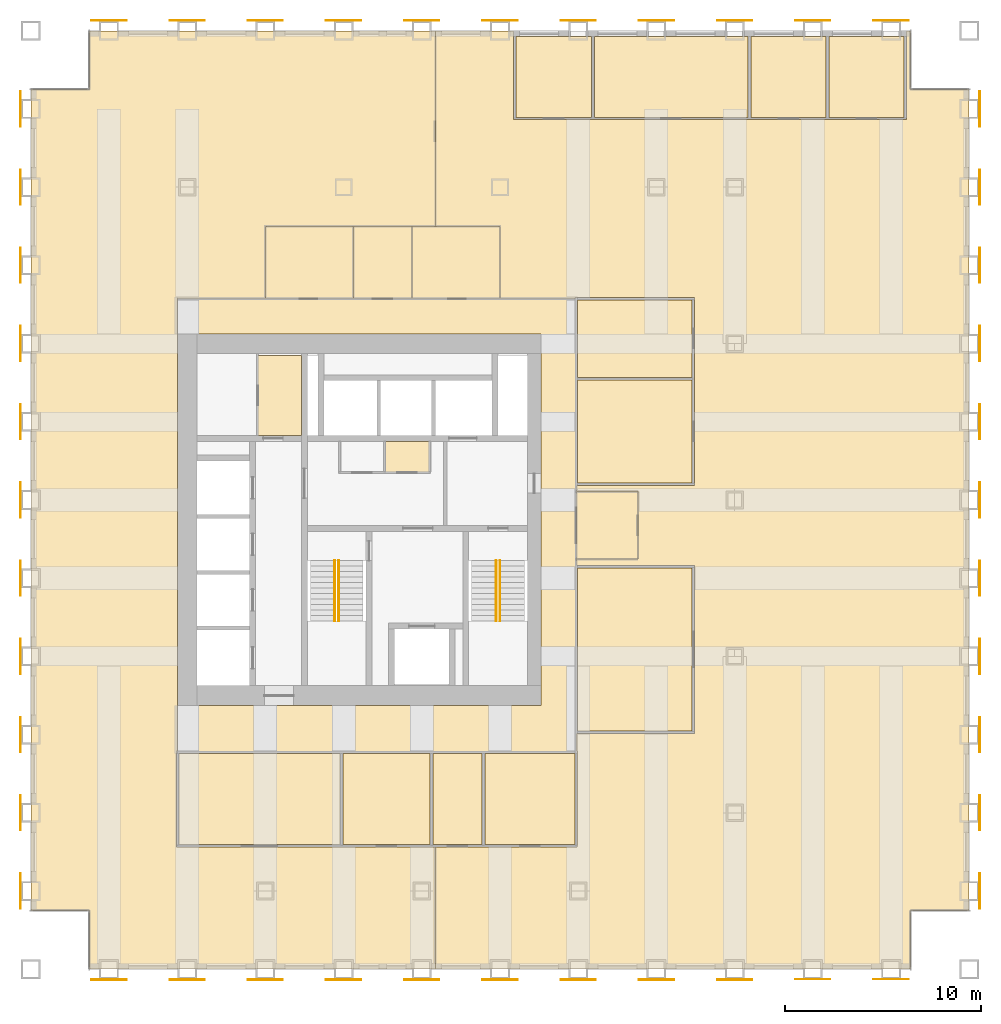
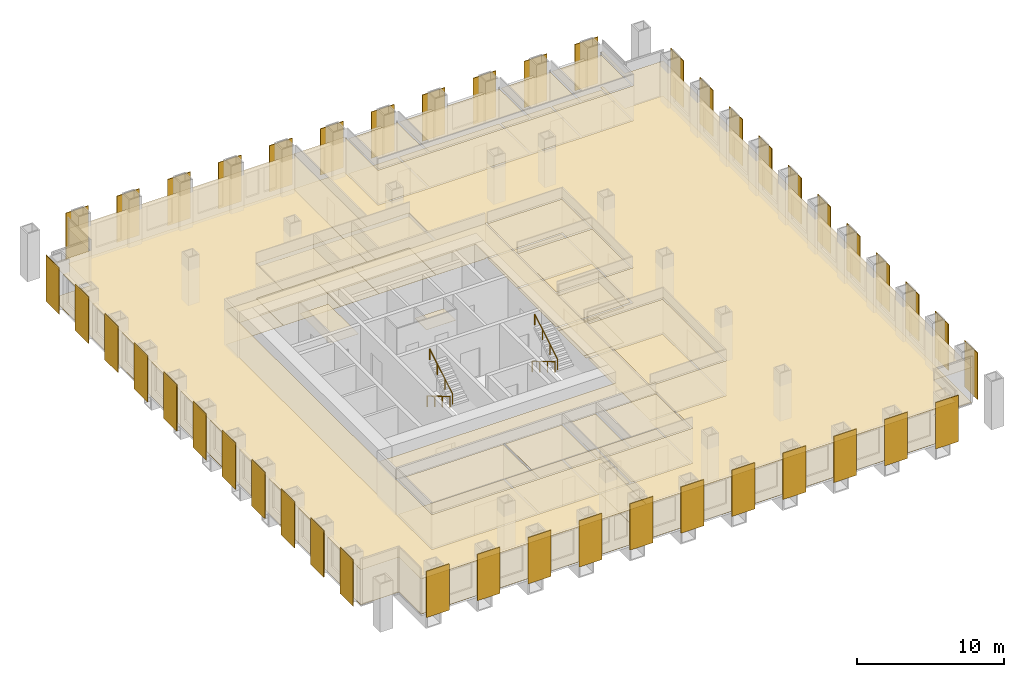
# One storey, part 14 of 14: 44 shading devices, 37 coverings, 4 railings.
"""IFC4 building model written with IfcOpenShell, lengths in metres."""

from ifc_helpers import new_model, si_unit, direction, frame, origin, origin_2d, place, context, subcontext, project, spatial, polyline, rectangle, circle, outline, extrude, material, layer, layer_set, type_object, element, save


model = new_model("IFC4")

# Units and contexts
model_context = context("Model", 3, precision=1e-05, world=origin(), true_north=direction((0.0, 1.0)))
body_context = subcontext(model_context, "Body", "Model", "MODEL_VIEW")
ifc_project = project(units=[si_unit("LENGTHUNIT", "METRE"), si_unit("AREAUNIT", "SQUARE_METRE"), si_unit("VOLUMEUNIT", "CUBIC_METRE"), si_unit("PLANEANGLEUNIT", "RADIAN"), si_unit("MASSUNIT", "GRAM", prefix="KILO")], contexts=[model_context])

# Site, building, storey
site_placement = place(None, origin())
site = spatial("IfcSite", under=ifc_project, at=site_placement, CompositionType="ELEMENT")
building_placement = place(site_placement, origin())
building = spatial("IfcBuilding", under=site, at=building_placement, Name="Rimbunsela Tower", CompositionType="ELEMENT")
storey_placement = place(building_placement, frame((0.0, 0.0, 109.39990234375)))
storey = spatial("IfcBuildingStorey", under=building, at=storey_placement, Name="L26", CompositionType="ELEMENT", Elevation=109.39990234375)

# Coverings
ifc_material_1 = material(Name="Nylon carpet tile", Category="textile")
ifc_layer_1 = layer(ifc_material_1, 0.010009765625)
ifc_layer_set_1 = layer_set([ifc_layer_1], Name="Carpet tile 10")
covering_type_1 = type_object("IfcCoveringType", Name="Carpet tile 10", PredefinedType="FLOORING", material=ifc_layer_set_1)
covering_1_placement = place(storey_placement, origin())
element("IfcCovering", 1, at=covering_1_placement, inside=storey, type_object=covering_type_1, Name="Floor finish Open office", PredefinedType="FLOORING", context=body_context, shape_type="SweptSolid", body=[
    extrude(outline(polyline([(17.5, 4.0), (13.0, 4.0), (13.0, 7.0), (10.0, 7.0), (10.0, 49.0), (13.0, 49.0), (13.0, 52.0), (17.5, 52.0), (30.699951171875, 52.0), (30.699951171875, 42.0), (22.0, 42.0), (22.0, 38.300048828125), (17.5, 38.300048828125), (17.5, 36.5), (17.5, 17.5), (17.5, 15.14990234375), (17.449951171875, 15.14990234375), (17.449951171875, 10.25), (17.5, 10.25), (25.85009765625, 10.25), (25.949951171875, 10.25), (30.449951171875, 10.25), (30.550048828125, 10.25), (30.699951171875, 10.25), (30.699951171875, 4.0), (17.5, 4.0)])), origin(), (0.0, 0.0, 1.0), 0.010009765625),
])
covering_2_placement = place(storey_placement, origin())
element("IfcCovering", 2, at=covering_2_placement, inside=storey, type_object=covering_type_1, Name="Floor finish Open office", PredefinedType="FLOORING", context=body_context, shape_type="SweptSolid", body=[
    extrude(outline(polyline([(30.699951171875, 52.0), (34.699951171875, 52.0), (34.699951171875, 47.449951171875), (37.89990234375, 47.449951171875), (38.699951171875, 47.449951171875), (38.800048828125, 47.449951171875), (46.699951171875, 47.449951171875), (46.800048828125, 47.449951171875), (50.699951171875, 47.449951171875), (50.800048828125, 47.449951171875), (54.800048828125, 47.449951171875), (54.800048828125, 52.0), (55.0, 52.0), (55.0, 49.0), (58.0, 49.0), (58.0, 7.0), (55.0, 7.0), (55.0, 4.0), (37.89990234375, 4.0), (30.699951171875, 4.0), (30.699951171875, 10.25), (33.10009765625, 10.25), (33.199951171875, 10.25), (37.89990234375, 10.25), (37.949951171875, 10.25), (37.949951171875, 15.14990234375), (37.89990234375, 15.14990234375), (37.89990234375, 16.050048828125), (43.949951171875, 16.050048828125), (43.949951171875, 24.64990234375), (37.89990234375, 24.64990234375), (37.89990234375, 24.97509765625), (41.050048828125, 24.97509765625), (41.050048828125, 28.425048828125), (37.89990234375, 28.425048828125), (37.89990234375, 28.75), (43.949951171875, 28.75), (43.949951171875, 34.14990234375), (43.949951171875, 34.25), (43.949951171875, 38.35009765625), (37.89990234375, 38.35009765625), (37.85009765625, 38.35009765625), (37.85009765625, 38.300048828125), (34.0, 38.300048828125), (34.0, 42.0), (30.699951171875, 42.0), (30.699951171875, 52.0)])), origin(), (0.0, 0.0, 1.0), 0.010009765625),
])
covering_3_placement = place(storey_placement, origin())
element("IfcCovering", 3, at=covering_3_placement, inside=storey, type_object=covering_type_1, Name="Floor finish Reception", PredefinedType="FLOORING", context=body_context, shape_type="SweptSolid", body=[
    extrude(outline(polyline([(41.050048828125, 24.97509765625), (41.050048828125, 28.425048828125), (37.89990234375, 28.425048828125), (37.89990234375, 24.97509765625), (41.050048828125, 24.97509765625)])), origin(), (0.0, 0.0, 1.0), 0.010009765625),
])
covering_4_placement = place(storey_placement, origin())
element("IfcCovering", 4, at=covering_4_placement, inside=storey, type_object=covering_type_1, Name="Floor finish Executive office", PredefinedType="FLOORING", context=body_context, shape_type="SweptSolid", body=[
    extrude(outline(polyline([(38.675048828125, 47.574951171875), (38.675048828125, 51.699951171875), (34.824951171875, 51.699951171875), (34.824951171875, 47.574951171875), (38.675048828125, 47.574951171875)])), origin(), (0.0, 0.0, 1.0), 0.010009765625),
])
covering_5_placement = place(storey_placement, origin())
element("IfcCovering", 5, at=covering_5_placement, inside=storey, type_object=covering_type_1, Name="Floor finish Executive office", PredefinedType="FLOORING", context=body_context, shape_type="SweptSolid", body=[
    extrude(outline(polyline([(46.675048828125, 47.574951171875), (46.675048828125, 51.699951171875), (38.824951171875, 51.699951171875), (38.824951171875, 47.574951171875), (46.675048828125, 47.574951171875)])), origin(), (0.0, 0.0, 1.0), 0.010009765625),
])
covering_6_placement = place(storey_placement, origin())
element("IfcCovering", 6, at=covering_6_placement, inside=storey, type_object=covering_type_1, Name="Floor finish Executive office", PredefinedType="FLOORING", context=body_context, shape_type="SweptSolid", body=[
    extrude(outline(polyline([(50.675048828125, 47.574951171875), (50.675048828125, 51.699951171875), (46.824951171875, 51.699951171875), (46.824951171875, 47.574951171875), (50.675048828125, 47.574951171875)])), origin(), (0.0, 0.0, 1.0), 0.010009765625),
])
covering_7_placement = place(storey_placement, origin())
element("IfcCovering", 7, at=covering_7_placement, inside=storey, type_object=covering_type_1, Name="Floor finish Executive office", PredefinedType="FLOORING", context=body_context, shape_type="SweptSolid", body=[
    extrude(outline(polyline([(54.675048828125, 47.574951171875), (54.675048828125, 51.699951171875), (50.824951171875, 51.699951171875), (50.824951171875, 47.574951171875), (54.675048828125, 47.574951171875)])), origin(), (0.0, 0.0, 1.0), 0.010009765625),
])
covering_8_placement = place(storey_placement, origin())
element("IfcCovering", 8, at=covering_8_placement, inside=storey, type_object=covering_type_1, Name="Floor finish Training room", PredefinedType="FLOORING", context=body_context, shape_type="SweptSolid", body=[
    extrude(outline(polyline([(25.824951171875, 10.375), (25.824951171875, 15.02490234375), (17.574951171875, 15.02490234375), (17.574951171875, 10.375), (25.824951171875, 10.375)])), origin(), (0.0, 0.0, 1.0), 0.010009765625),
])
covering_9_placement = place(storey_placement, origin())
element("IfcCovering", 9, at=covering_9_placement, inside=storey, type_object=covering_type_1, Name="Floor finish Pantry", PredefinedType="FLOORING", context=body_context, shape_type="SweptSolid", body=[
    extrude(outline(polyline([(30.425048828125, 10.375), (30.425048828125, 15.02490234375), (25.97509765625, 15.02490234375), (25.97509765625, 10.375), (30.425048828125, 10.375)])), origin(), (0.0, 0.0, 1.0), 0.010009765625),
])
covering_10_placement = place(storey_placement, origin())
element("IfcCovering", 10, at=covering_10_placement, inside=storey, type_object=covering_type_1, Name="Floor finish Print and copy room", PredefinedType="FLOORING", context=body_context, shape_type="SweptSolid", body=[
    extrude(outline(polyline([(33.074951171875, 10.375), (33.074951171875, 15.02490234375), (30.574951171875, 15.02490234375), (30.574951171875, 10.375), (33.074951171875, 10.375)])), origin(), (0.0, 0.0, 1.0), 0.010009765625),
])
covering_11_placement = place(storey_placement, origin())
element("IfcCovering", 11, at=covering_11_placement, inside=storey, type_object=covering_type_1, Name="Floor finish Office", PredefinedType="FLOORING", context=body_context, shape_type="SweptSolid", body=[
    extrude(outline(polyline([(37.824951171875, 10.375), (37.824951171875, 15.02490234375), (33.22509765625, 15.02490234375), (33.22509765625, 10.375), (37.824951171875, 10.375)])), origin(), (0.0, 0.0, 1.0), 0.010009765625),
])
covering_12_placement = place(storey_placement, origin())
element("IfcCovering", 12, at=covering_12_placement, inside=storey, type_object=covering_type_1, Name="Floor finish Boardroom", PredefinedType="FLOORING", context=body_context, shape_type="SweptSolid", body=[
    extrude(outline(polyline([(43.824951171875, 16.175048828125), (43.824951171875, 24.52490234375), (37.97509765625, 24.52490234375), (37.97509765625, 16.175048828125), (43.824951171875, 16.175048828125)])), origin(), (0.0, 0.0, 1.0), 0.010009765625),
])
covering_13_placement = place(storey_placement, origin())
element("IfcCovering", 13, at=covering_13_placement, inside=storey, type_object=covering_type_1, Name="Floor finish Meeting room", PredefinedType="FLOORING", context=body_context, shape_type="SweptSolid", body=[
    extrude(outline(polyline([(43.824951171875, 28.875), (43.824951171875, 34.125), (37.97509765625, 34.125), (37.97509765625, 28.875), (43.824951171875, 28.875)])), origin(), (0.0, 0.0, 1.0), 0.010009765625),
])
covering_14_placement = place(storey_placement, origin())
element("IfcCovering", 14, at=covering_14_placement, inside=storey, type_object=covering_type_1, Name="Floor finish Office", PredefinedType="FLOORING", context=body_context, shape_type="SweptSolid", body=[
    extrude(outline(polyline([(43.824951171875, 34.27490234375), (43.824951171875, 38.22509765625), (37.97509765625, 38.22509765625), (37.97509765625, 34.27490234375), (43.824951171875, 34.27490234375)])), origin(), (0.0, 0.0, 1.0), 0.010009765625),
])
ifc_material_2 = material(Name="Mineral fibre ceiling tile", Category="gypsum")
ifc_layer_2 = layer(ifc_material_2, 0.02001953125)
ifc_layer_set_2 = layer_set([ifc_layer_2], Name="Ceiling 600 grid")
covering_type_2 = type_object("IfcCoveringType", Name="Ceiling 600 grid", PredefinedType="CEILING", material=ifc_layer_set_2)
covering_15_placement = place(storey_placement, frame((0.0, 0.0, 2.900146484375)))
element("IfcCovering", 15, at=covering_15_placement, inside=storey, type_object=covering_type_2, Name="Ceiling IT room", PredefinedType="CEILING", context=body_context, shape_type="SweptSolid", body=[
    extrude(outline(polyline([(30.39990234375, 29.39990234375), (30.39990234375, 31.0), (28.10009765625, 31.0), (28.10009765625, 29.39990234375), (30.39990234375, 29.39990234375)])), origin(), (0.0, 0.0, 1.0), 0.02001953125),
])
covering_16_placement = place(storey_placement, frame((0.0, 0.0, 2.900146484375)))
element("IfcCovering", 16, at=covering_16_placement, inside=storey, type_object=covering_type_2, Name="Ceiling Staff pantry", PredefinedType="CEILING", context=body_context, shape_type="SweptSolid", body=[
    extrude(outline(polyline([(23.85009765625, 31.300048828125), (23.85009765625, 35.39990234375), (21.60009765625, 35.39990234375), (21.60009765625, 31.300048828125), (23.85009765625, 31.300048828125)])), origin(), (0.0, 0.0, 1.0), 0.02001953125),
])
covering_17_placement = place(storey_placement, frame((0.0, 0.0, 2.900146484375)))
element("IfcCovering", 17, at=covering_17_placement, inside=storey, type_object=covering_type_2, Name="Ceiling U-shaped corridor", PredefinedType="CEILING", context=body_context, shape_type="SweptSolid", body=[
    extrude(outline(polyline([(37.89990234375, 38.300048828125), (37.89990234375, 15.10009765625), (17.5, 15.10009765625), (17.5, 17.5), (36.10009765625, 17.5), (36.10009765625, 36.5), (17.5, 36.5), (17.5, 38.300048828125), (37.89990234375, 38.300048828125)])), origin(), (0.0, 0.0, 1.0), 0.02001953125),
])
covering_18_placement = place(storey_placement, frame((0.0, 0.0, 2.900146484375)))
element("IfcCovering", 18, at=covering_18_placement, inside=storey, type_object=covering_type_2, Name="Ceiling Open office", PredefinedType="CEILING", context=body_context, shape_type="SweptSolid", body=[
    extrude(outline(polyline([(17.5, 4.0), (13.0, 4.0), (13.0, 7.0), (10.0, 7.0), (10.0, 49.0), (13.0, 49.0), (13.0, 52.0), (17.5, 52.0), (30.699951171875, 52.0), (30.699951171875, 42.0), (22.0, 42.0), (22.0, 38.300048828125), (17.5, 38.300048828125), (17.5, 36.5), (17.5, 17.5), (17.5, 15.14990234375), (17.449951171875, 15.14990234375), (17.449951171875, 10.25), (17.5, 10.25), (25.85009765625, 10.25), (25.949951171875, 10.25), (30.449951171875, 10.25), (30.550048828125, 10.25), (30.699951171875, 10.25), (30.699951171875, 4.0), (17.5, 4.0)])), origin(), (0.0, 0.0, 1.0), 0.02001953125),
])
covering_19_placement = place(storey_placement, frame((0.0, 0.0, 2.900146484375)))
element("IfcCovering", 19, at=covering_19_placement, inside=storey, type_object=covering_type_2, Name="Ceiling Open office", PredefinedType="CEILING", context=body_context, shape_type="SweptSolid", body=[
    extrude(outline(polyline([(30.699951171875, 52.0), (34.699951171875, 52.0), (34.699951171875, 47.449951171875), (37.89990234375, 47.449951171875), (38.699951171875, 47.449951171875), (38.800048828125, 47.449951171875), (46.699951171875, 47.449951171875), (46.800048828125, 47.449951171875), (50.699951171875, 47.449951171875), (50.800048828125, 47.449951171875), (54.800048828125, 47.449951171875), (54.800048828125, 52.0), (55.0, 52.0), (55.0, 49.0), (58.0, 49.0), (58.0, 7.0), (55.0, 7.0), (55.0, 4.0), (37.89990234375, 4.0), (30.699951171875, 4.0), (30.699951171875, 10.25), (33.10009765625, 10.25), (33.199951171875, 10.25), (37.89990234375, 10.25), (37.949951171875, 10.25), (37.949951171875, 15.14990234375), (37.89990234375, 15.14990234375), (37.89990234375, 16.050048828125), (43.949951171875, 16.050048828125), (43.949951171875, 24.64990234375), (37.89990234375, 24.64990234375), (37.89990234375, 24.97509765625), (41.050048828125, 24.97509765625), (41.050048828125, 28.425048828125), (37.89990234375, 28.425048828125), (37.89990234375, 28.75), (43.949951171875, 28.75), (43.949951171875, 34.14990234375), (43.949951171875, 34.25), (43.949951171875, 38.35009765625), (37.89990234375, 38.35009765625), (37.85009765625, 38.35009765625), (37.85009765625, 38.300048828125), (34.0, 38.300048828125), (34.0, 42.0), (30.699951171875, 42.0), (30.699951171875, 52.0)])), origin(), (0.0, 0.0, 1.0), 0.02001953125),
])
covering_20_placement = place(storey_placement, frame((0.0, 0.0, 2.900146484375)))
element("IfcCovering", 20, at=covering_20_placement, inside=storey, type_object=covering_type_2, Name="Ceiling Reception", PredefinedType="CEILING", context=body_context, shape_type="SweptSolid", body=[
    extrude(outline(polyline([(41.050048828125, 24.97509765625), (41.050048828125, 28.425048828125), (37.89990234375, 28.425048828125), (37.89990234375, 24.97509765625), (41.050048828125, 24.97509765625)])), origin(), (0.0, 0.0, 1.0), 0.02001953125),
])
covering_21_placement = place(storey_placement, frame((0.0, 0.0, 2.900146484375)))
element("IfcCovering", 21, at=covering_21_placement, inside=storey, type_object=covering_type_2, Name="Ceiling Executive office", PredefinedType="CEILING", context=body_context, shape_type="SweptSolid", body=[
    extrude(outline(polyline([(38.675048828125, 47.574951171875), (38.675048828125, 51.699951171875), (34.824951171875, 51.699951171875), (34.824951171875, 47.574951171875), (38.675048828125, 47.574951171875)])), origin(), (0.0, 0.0, 1.0), 0.02001953125),
])
covering_22_placement = place(storey_placement, frame((0.0, 0.0, 2.900146484375)))
element("IfcCovering", 22, at=covering_22_placement, inside=storey, type_object=covering_type_2, Name="Ceiling Executive office", PredefinedType="CEILING", context=body_context, shape_type="SweptSolid", body=[
    extrude(outline(polyline([(46.675048828125, 47.574951171875), (46.675048828125, 51.699951171875), (38.824951171875, 51.699951171875), (38.824951171875, 47.574951171875), (46.675048828125, 47.574951171875)])), origin(), (0.0, 0.0, 1.0), 0.02001953125),
])
covering_23_placement = place(storey_placement, frame((0.0, 0.0, 2.900146484375)))
element("IfcCovering", 23, at=covering_23_placement, inside=storey, type_object=covering_type_2, Name="Ceiling Executive office", PredefinedType="CEILING", context=body_context, shape_type="SweptSolid", body=[
    extrude(outline(polyline([(50.675048828125, 47.574951171875), (50.675048828125, 51.699951171875), (46.824951171875, 51.699951171875), (46.824951171875, 47.574951171875), (50.675048828125, 47.574951171875)])), origin(), (0.0, 0.0, 1.0), 0.02001953125),
])
covering_24_placement = place(storey_placement, frame((0.0, 0.0, 2.900146484375)))
element("IfcCovering", 24, at=covering_24_placement, inside=storey, type_object=covering_type_2, Name="Ceiling Executive office", PredefinedType="CEILING", context=body_context, shape_type="SweptSolid", body=[
    extrude(outline(polyline([(54.675048828125, 47.574951171875), (54.675048828125, 51.699951171875), (50.824951171875, 51.699951171875), (50.824951171875, 47.574951171875), (54.675048828125, 47.574951171875)])), origin(), (0.0, 0.0, 1.0), 0.02001953125),
])
covering_25_placement = place(storey_placement, frame((0.0, 0.0, 2.900146484375)))
element("IfcCovering", 25, at=covering_25_placement, inside=storey, type_object=covering_type_2, Name="Ceiling Training room", PredefinedType="CEILING", context=body_context, shape_type="SweptSolid", body=[
    extrude(outline(polyline([(25.824951171875, 10.375), (25.824951171875, 15.02490234375), (17.574951171875, 15.02490234375), (17.574951171875, 10.375), (25.824951171875, 10.375)])), origin(), (0.0, 0.0, 1.0), 0.02001953125),
])
covering_26_placement = place(storey_placement, frame((0.0, 0.0, 2.900146484375)))
element("IfcCovering", 26, at=covering_26_placement, inside=storey, type_object=covering_type_2, Name="Ceiling Pantry", PredefinedType="CEILING", context=body_context, shape_type="SweptSolid", body=[
    extrude(outline(polyline([(30.425048828125, 10.375), (30.425048828125, 15.02490234375), (25.97509765625, 15.02490234375), (25.97509765625, 10.375), (30.425048828125, 10.375)])), origin(), (0.0, 0.0, 1.0), 0.02001953125),
])
covering_27_placement = place(storey_placement, frame((0.0, 0.0, 2.900146484375)))
element("IfcCovering", 27, at=covering_27_placement, inside=storey, type_object=covering_type_2, Name="Ceiling Print and copy room", PredefinedType="CEILING", context=body_context, shape_type="SweptSolid", body=[
    extrude(outline(polyline([(33.074951171875, 10.375), (33.074951171875, 15.02490234375), (30.574951171875, 15.02490234375), (30.574951171875, 10.375), (33.074951171875, 10.375)])), origin(), (0.0, 0.0, 1.0), 0.02001953125),
])
covering_28_placement = place(storey_placement, frame((0.0, 0.0, 2.900146484375)))
element("IfcCovering", 28, at=covering_28_placement, inside=storey, type_object=covering_type_2, Name="Ceiling Office", PredefinedType="CEILING", context=body_context, shape_type="SweptSolid", body=[
    extrude(outline(polyline([(37.824951171875, 10.375), (37.824951171875, 15.02490234375), (33.22509765625, 15.02490234375), (33.22509765625, 10.375), (37.824951171875, 10.375)])), origin(), (0.0, 0.0, 1.0), 0.02001953125),
])
covering_29_placement = place(storey_placement, frame((0.0, 0.0, 2.900146484375)))
element("IfcCovering", 29, at=covering_29_placement, inside=storey, type_object=covering_type_2, Name="Ceiling Boardroom", PredefinedType="CEILING", context=body_context, shape_type="SweptSolid", body=[
    extrude(outline(polyline([(43.824951171875, 16.175048828125), (43.824951171875, 24.52490234375), (37.97509765625, 24.52490234375), (37.97509765625, 16.175048828125), (43.824951171875, 16.175048828125)])), origin(), (0.0, 0.0, 1.0), 0.02001953125),
])
covering_30_placement = place(storey_placement, frame((0.0, 0.0, 2.900146484375)))
element("IfcCovering", 30, at=covering_30_placement, inside=storey, type_object=covering_type_2, Name="Ceiling Meeting room", PredefinedType="CEILING", context=body_context, shape_type="SweptSolid", body=[
    extrude(outline(polyline([(43.824951171875, 28.875), (43.824951171875, 34.125), (37.97509765625, 34.125), (37.97509765625, 28.875), (43.824951171875, 28.875)])), origin(), (0.0, 0.0, 1.0), 0.02001953125),
])
covering_31_placement = place(storey_placement, frame((0.0, 0.0, 2.900146484375)))
element("IfcCovering", 31, at=covering_31_placement, inside=storey, type_object=covering_type_2, Name="Ceiling Office", PredefinedType="CEILING", context=body_context, shape_type="SweptSolid", body=[
    extrude(outline(polyline([(43.824951171875, 34.27490234375), (43.824951171875, 38.22509765625), (37.97509765625, 38.22509765625), (37.97509765625, 34.27490234375), (43.824951171875, 34.27490234375)])), origin(), (0.0, 0.0, 1.0), 0.02001953125),
])
ifc_material_3 = material(Name="Moisture-resistant plasterboard ceiling", Category="gypsum")
ifc_layer_3 = layer(ifc_material_3, 0.012451171875)
ifc_layer_set_3 = layer_set([ifc_layer_3], Name="Ceiling moisture-resistant board")
covering_type_3 = type_object("IfcCoveringType", Name="Ceiling moisture-resistant board", PredefinedType="CEILING", material=ifc_layer_set_3)
covering_32_placement = place(storey_placement, frame((0.0, 0.0, 2.60009765625)))
element("IfcCovering", 32, at=covering_32_placement, inside=storey, type_object=covering_type_3, Name="Ceiling Female WC", PredefinedType="CEILING", context=body_context, shape_type="SweptSolid", body=[
    extrude(outline(polyline([(26.5, 38.300048828125), (26.5, 42.0), (22.0, 42.0), (22.0, 38.300048828125), (26.5, 38.300048828125)])), origin(), (0.0, 0.0, 1.0), 0.02001953125),
])
covering_33_placement = place(storey_placement, frame((0.0, 0.0, 2.60009765625)))
element("IfcCovering", 33, at=covering_33_placement, inside=storey, type_object=covering_type_3, Name="Ceiling Accessible WC", PredefinedType="CEILING", context=body_context, shape_type="SweptSolid", body=[
    extrude(outline(polyline([(29.5, 38.300048828125), (29.5, 42.0), (26.5, 42.0), (26.5, 38.300048828125), (29.5, 38.300048828125)])), origin(), (0.0, 0.0, 1.0), 0.02001953125),
])
covering_34_placement = place(storey_placement, frame((0.0, 0.0, 2.60009765625)))
element("IfcCovering", 34, at=covering_34_placement, inside=storey, type_object=covering_type_3, Name="Ceiling Male WC", PredefinedType="CEILING", context=body_context, shape_type="SweptSolid", body=[
    extrude(outline(polyline([(34.0, 38.300048828125), (34.0, 42.0), (29.5, 42.0), (29.5, 38.300048828125), (34.0, 38.300048828125)])), origin(), (0.0, 0.0, 1.0), 0.02001953125),
])
ifc_material_4 = material(Name="Porcelain floor tile in adhesive bed", Category="ceramic")
ifc_layer_4 = layer(ifc_material_4, 0.02001953125)
ifc_layer_set_4 = layer_set([ifc_layer_4], Name="Porcelain tile 20")
covering_type_4 = type_object("IfcCoveringType", Name="Porcelain tile 20", PredefinedType="FLOORING", material=ifc_layer_set_4)
covering_35_placement = place(storey_placement, origin())
element("IfcCovering", 35, at=covering_35_placement, inside=storey, type_object=covering_type_4, Name="Floor finish Female WC", PredefinedType="FLOORING", context=body_context, shape_type="SweptSolid", body=[
    extrude(outline(polyline([(26.5, 38.300048828125), (26.5, 42.0), (22.0, 42.0), (22.0, 38.300048828125), (26.5, 38.300048828125)])), origin(), (0.0, 0.0, 1.0), 0.02001953125),
])
covering_36_placement = place(storey_placement, origin())
element("IfcCovering", 36, at=covering_36_placement, inside=storey, type_object=covering_type_4, Name="Floor finish Accessible WC", PredefinedType="FLOORING", context=body_context, shape_type="SweptSolid", body=[
    extrude(outline(polyline([(29.5, 38.300048828125), (29.5, 42.0), (26.5, 42.0), (26.5, 38.300048828125), (29.5, 38.300048828125)])), origin(), (0.0, 0.0, 1.0), 0.02001953125),
])
covering_37_placement = place(storey_placement, origin())
element("IfcCovering", 37, at=covering_37_placement, inside=storey, type_object=covering_type_4, Name="Floor finish Male WC", PredefinedType="FLOORING", context=body_context, shape_type="SweptSolid", body=[
    extrude(outline(polyline([(34.0, 38.300048828125), (34.0, 42.0), (29.5, 42.0), (29.5, 38.300048828125), (34.0, 38.300048828125)])), origin(), (0.0, 0.0, 1.0), 0.02001953125),
])

# Shading devices
ifc_material_5 = material(Name="Perforated aluminium, 35 % open area", Category="aluminium")
ifc_layer_5 = layer(ifc_material_5, 0.050048828125)
ifc_layer_set_5 = layer_set([ifc_layer_5], Name="Solar screen panel 1800")
shading_device_type = type_object("IfcShadingDeviceType", Name="Solar screen panel 1800", PredefinedType="USERDEFINED", material=ifc_layer_set_5)
for number, where, z_axis, x_axis, name in (
    (38, (14.0, 3.47509765625, 0.0), (0.0, 0.0, 1.0), (1.0, 0.0, 0.0), "Solar screen S L26"),
    (39, (18.0, 3.47509765625, 0.0), (0.0, 0.0, 1.0), (1.0, 0.0, 0.0), "Solar screen S L26"),
    (40, (22.0, 3.47509765625, 0.0), (0.0, 0.0, 1.0), (1.0, 0.0, 0.0), "Solar screen S L26"),
    (41, (26.0, 3.47509765625, 0.0), (0.0, 0.0, 1.0), (1.0, 0.0, 0.0), "Solar screen S L26"),
    (42, (30.0, 3.47509765625, 0.0), (0.0, 0.0, 1.0), (1.0, 0.0, 0.0), "Solar screen S L26"),
    (43, (34.0, 3.47509765625, 0.0), (0.0, 0.0, 1.0), (1.0, 0.0, 0.0), "Solar screen S L26"),
    (44, (38.0, 3.47509765625, 0.0), (0.0, 0.0, 1.0), (1.0, 0.0, 0.0), "Solar screen S L26"),
    (45, (42.0, 3.47509765625, 0.0), (0.0, 0.0, 1.0), (1.0, 0.0, 0.0), "Solar screen S L26"),
    (46, (46.0, 3.47509765625, 0.0), (0.0, 0.0, 1.0), (1.0, 0.0, 0.0), "Solar screen S L26"),
    (47, (50.0, 3.47509765625, 0.0), (0.0, 0.0, 1.0), (1.0, 0.0, 0.0), "Solar screen S L26"),
    (48, (54.0, 3.47509765625, 0.0), (0.0, 0.0, 1.0), (1.0, 0.0, 0.0), "Solar screen S L26"),
    (49, (58.52490234375, 8.0, 0.0), (0.0, 0.0, 1.0), (0.0, 1.0, 0.0), "Solar screen E L26"),
    (50, (58.52490234375, 12.0, 0.0), (0.0, 0.0, 1.0), (0.0, 1.0, 0.0), "Solar screen E L26"),
    (51, (58.52490234375, 16.0, 0.0), (0.0, 0.0, 1.0), (0.0, 1.0, 0.0), "Solar screen E L26"),
    (52, (58.52490234375, 20.0, 0.0), (0.0, 0.0, 1.0), (0.0, 1.0, 0.0), "Solar screen E L26"),
    (53, (58.52490234375, 24.0, 0.0), (0.0, 0.0, 1.0), (0.0, 1.0, 0.0), "Solar screen E L26"),
    (54, (58.52490234375, 28.0, 0.0), (0.0, 0.0, 1.0), (0.0, 1.0, 0.0), "Solar screen E L26"),
    (55, (58.52490234375, 32.0, 0.0), (0.0, 0.0, 1.0), (0.0, 1.0, 0.0), "Solar screen E L26"),
    (56, (58.52490234375, 36.0, 0.0), (0.0, 0.0, 1.0), (0.0, 1.0, 0.0), "Solar screen E L26"),
    (57, (58.52490234375, 40.0, 0.0), (0.0, 0.0, 1.0), (0.0, 1.0, 0.0), "Solar screen E L26"),
    (58, (58.52490234375, 44.0, 0.0), (0.0, 0.0, 1.0), (0.0, 1.0, 0.0), "Solar screen E L26"),
    (59, (58.52490234375, 48.0, 0.0), (0.0, 0.0, 1.0), (0.0, 1.0, 0.0), "Solar screen E L26"),
    (60, (14.0, 52.52490234375, 0.0), (0.0, 0.0, 1.0), (1.0, 0.0, 0.0), "Solar screen N L26"),
    (61, (18.0, 52.52490234375, 0.0), (0.0, 0.0, 1.0), (1.0, 0.0, 0.0), "Solar screen N L26"),
    (62, (22.0, 52.52490234375, 0.0), (0.0, 0.0, 1.0), (1.0, 0.0, 0.0), "Solar screen N L26"),
    (63, (26.0, 52.52490234375, 0.0), (0.0, 0.0, 1.0), (1.0, 0.0, 0.0), "Solar screen N L26"),
    (64, (30.0, 52.52490234375, 0.0), (0.0, 0.0, 1.0), (1.0, 0.0, 0.0), "Solar screen N L26"),
    (65, (34.0, 52.52490234375, 0.0), (0.0, 0.0, 1.0), (1.0, 0.0, 0.0), "Solar screen N L26"),
    (66, (38.0, 52.52490234375, 0.0), (0.0, 0.0, 1.0), (1.0, 0.0, 0.0), "Solar screen N L26"),
    (67, (42.0, 52.52490234375, 0.0), (0.0, 0.0, 1.0), (1.0, 0.0, 0.0), "Solar screen N L26"),
    (68, (46.0, 52.52490234375, 0.0), (0.0, 0.0, 1.0), (1.0, 0.0, 0.0), "Solar screen N L26"),
    (69, (50.0, 52.52490234375, 0.0), (0.0, 0.0, 1.0), (1.0, 0.0, 0.0), "Solar screen N L26"),
    (70, (54.0, 52.52490234375, 0.0), (0.0, 0.0, 1.0), (1.0, 0.0, 0.0), "Solar screen N L26"),
    (71, (9.47509765625, 8.0, 0.0), (0.0, 0.0, 1.0), (0.0, 1.0, 0.0), "Solar screen W L26"),
    (72, (9.47509765625, 12.0, 0.0), (0.0, 0.0, 1.0), (0.0, 1.0, 0.0), "Solar screen W L26"),
    (73, (9.47509765625, 16.0, 0.0), (0.0, 0.0, 1.0), (0.0, 1.0, 0.0), "Solar screen W L26"),
    (74, (9.47509765625, 20.0, 0.0), (0.0, 0.0, 1.0), (0.0, 1.0, 0.0), "Solar screen W L26"),
    (75, (9.47509765625, 24.0, 0.0), (0.0, 0.0, 1.0), (0.0, 1.0, 0.0), "Solar screen W L26"),
    (76, (9.47509765625, 28.0, 0.0), (0.0, 0.0, 1.0), (0.0, 1.0, 0.0), "Solar screen W L26"),
    (77, (9.47509765625, 32.0, 0.0), (0.0, 0.0, 1.0), (0.0, 1.0, 0.0), "Solar screen W L26"),
    (78, (9.47509765625, 36.0, 0.0), (0.0, 0.0, 1.0), (0.0, 1.0, 0.0), "Solar screen W L26"),
    (79, (9.47509765625, 40.0, 0.0), (0.0, 0.0, 1.0), (0.0, 1.0, 0.0), "Solar screen W L26"),
    (80, (9.47509765625, 44.0, 0.0), (0.0, 0.0, 1.0), (0.0, 1.0, 0.0), "Solar screen W L26"),
    (81, (9.47509765625, 48.0, 0.0), (0.0, 0.0, 1.0), (0.0, 1.0, 0.0), "Solar screen W L26"),
):
    element("IfcShadingDevice", number, at=place(storey_placement, frame(where, z_axis=z_axis, x_axis=x_axis)), inside=storey, type_object=shading_device_type, Name=name, ObjectType="SCREEN", PredefinedType="USERDEFINED", context=body_context, shape_type="SweptSolid", body=[
        extrude(rectangle(XDim=1.800048828125, YDim=0.050048828125, at=origin_2d()), origin(), (0.0, 0.0, 1.0), 3.85009765625),
    ])

# Railings
ifc_material_6 = material(Name="Stainless steel tube", Category="steel")
railing_type = type_object("IfcRailingType", Name="Stair handrail 900", PredefinedType="HANDRAIL", material=ifc_material_6)
railing_1_placement = place(storey_placement, frame((25.550048828125, 24.89990234375, 0.166748046875)))
element("IfcRailing", 82, at=railing_1_placement, inside=storey, type_object=railing_type, Name="Handrail ST-A flight 1", PredefinedType="HANDRAIL", context=body_context, shape_type="SweptSolid", body=[
    extrude(circle(Radius=0.02392578125, at=origin_2d()), frame((0.0, 0.0, 0.8759765625), z_axis=(0.0, -0.859290745958, 0.51148745235), x_axis=(1.0, 0.0, 0.0)), (0.0, 0.0, 1.0), 3.584228515625),
    extrude(circle(Radius=0.02099609375, at=origin_2d()), origin(), (0.0, 0.0, 1.0), 0.851806640625),
    extrude(circle(Radius=0.02099609375, at=origin_2d()), frame((0.0, -1.026611328125, 0.611083984375)), (0.0, 0.0, 1.0), 0.851806640625),
    extrude(circle(Radius=0.02099609375, at=origin_2d()), frame((0.0, -2.05322265625, 1.22216796875)), (0.0, 0.0, 1.0), 0.851806640625),
    extrude(circle(Radius=0.02099609375, at=origin_2d()), frame((0.0, -3.079833984375, 1.833251953125)), (0.0, 0.0, 1.0), 0.851806640625),
])
railing_2_placement = place(storey_placement, frame((25.75, 21.820068359375, 2.166748046875)))
element("IfcRailing", 83, at=railing_2_placement, inside=storey, type_object=railing_type, Name="Handrail ST-A flight 2", PredefinedType="HANDRAIL", context=body_context, shape_type="SweptSolid", body=[
    extrude(circle(Radius=0.02392578125, at=origin_2d()), frame((0.0, 0.0, 0.8759765625), z_axis=(0.0, 0.859290745958, 0.51148745235), x_axis=(-1.0, 0.0, 0.0)), (0.0, 0.0, 1.0), 3.584228515625),
    extrude(circle(Radius=0.02099609375, at=origin_2d()), origin(), (0.0, 0.0, 1.0), 0.851806640625),
    extrude(circle(Radius=0.02099609375, at=origin_2d()), frame((0.0, 1.026611328125, 0.611083984375)), (0.0, 0.0, 1.0), 0.851806640625),
    extrude(circle(Radius=0.02099609375, at=origin_2d()), frame((0.0, 2.05322265625, 1.22216796875)), (0.0, 0.0, 1.0), 0.851806640625),
    extrude(circle(Radius=0.02099609375, at=origin_2d()), frame((0.0, 3.079833984375, 1.833251953125)), (0.0, 0.0, 1.0), 0.851806640625),
])
railing_3_placement = place(storey_placement, frame((33.800048828125, 24.89990234375, 0.166748046875)))
element("IfcRailing", 84, at=railing_3_placement, inside=storey, type_object=railing_type, Name="Handrail ST-B flight 1", PredefinedType="HANDRAIL", context=body_context, shape_type="SweptSolid", body=[
    extrude(circle(Radius=0.02392578125, at=origin_2d()), frame((0.0, 0.0, 0.8759765625), z_axis=(0.0, -0.859290745958, 0.51148745235), x_axis=(1.0, 0.0, 0.0)), (0.0, 0.0, 1.0), 3.584228515625),
    extrude(circle(Radius=0.02099609375, at=origin_2d()), origin(), (0.0, 0.0, 1.0), 0.851806640625),
    extrude(circle(Radius=0.02099609375, at=origin_2d()), frame((0.0, -1.026611328125, 0.611083984375)), (0.0, 0.0, 1.0), 0.851806640625),
    extrude(circle(Radius=0.02099609375, at=origin_2d()), frame((0.0, -2.05322265625, 1.22216796875)), (0.0, 0.0, 1.0), 0.851806640625),
    extrude(circle(Radius=0.02099609375, at=origin_2d()), frame((0.0, -3.079833984375, 1.833251953125)), (0.0, 0.0, 1.0), 0.851806640625),
])
railing_4_placement = place(storey_placement, frame((34.0, 21.820068359375, 2.166748046875)))
element("IfcRailing", 85, at=railing_4_placement, inside=storey, type_object=railing_type, Name="Handrail ST-B flight 2", PredefinedType="HANDRAIL", context=body_context, shape_type="SweptSolid", body=[
    extrude(circle(Radius=0.02392578125, at=origin_2d()), frame((0.0, 0.0, 0.8759765625), z_axis=(0.0, 0.859290745958, 0.51148745235), x_axis=(-1.0, 0.0, 0.0)), (0.0, 0.0, 1.0), 3.584228515625),
    extrude(circle(Radius=0.02099609375, at=origin_2d()), origin(), (0.0, 0.0, 1.0), 0.851806640625),
    extrude(circle(Radius=0.02099609375, at=origin_2d()), frame((0.0, 1.026611328125, 0.611083984375)), (0.0, 0.0, 1.0), 0.851806640625),
    extrude(circle(Radius=0.02099609375, at=origin_2d()), frame((0.0, 2.05322265625, 1.22216796875)), (0.0, 0.0, 1.0), 0.851806640625),
    extrude(circle(Radius=0.02099609375, at=origin_2d()), frame((0.0, 3.079833984375, 1.833251953125)), (0.0, 0.0, 1.0), 0.851806640625),
])

save(model, "model.ifc")
